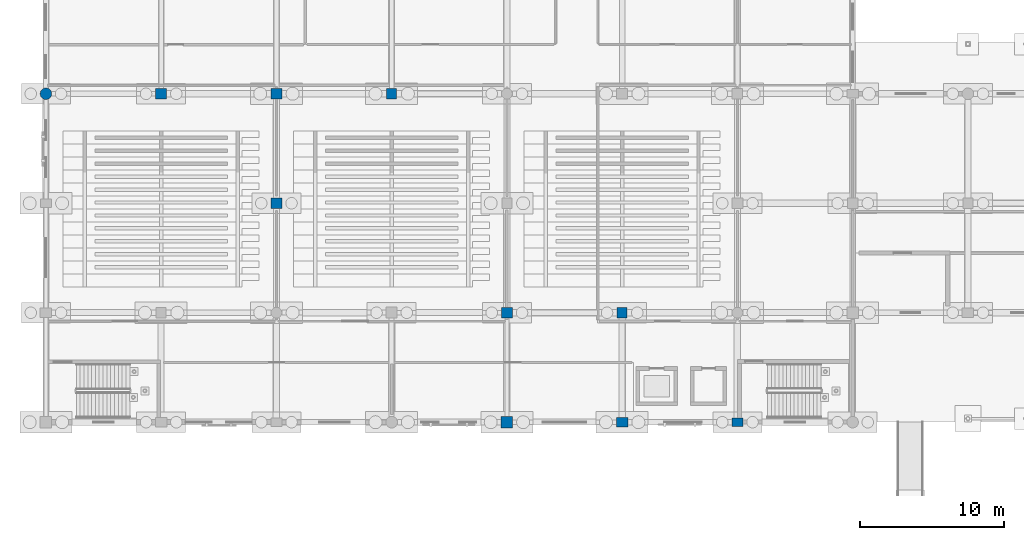
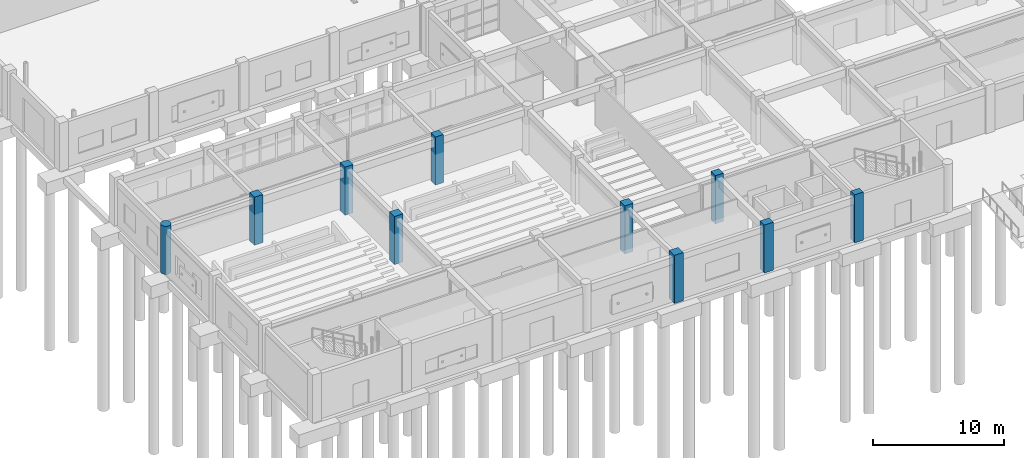
# One storey, part 13 of 166: 10 columns.
"""IFC4 building model written with IfcOpenShell, lengths in metres."""

from ifc_helpers import new_model, si_unit, direction, frame, origin, origin_2d, place, context, subcontext, project, spatial, rectangle, circle, extrude, material, material_profile, profile_set, type_object, element, save


model = new_model("IFC4")

# Units and contexts
model_context = context("Model", 3, precision=1e-05, world=origin(), true_north=direction((0.0, 1.0)))
body_context = subcontext(model_context, "Body", "Model", "MODEL_VIEW")
ifc_project = project(units=[si_unit("LENGTHUNIT", "METRE"), si_unit("AREAUNIT", "SQUARE_METRE"), si_unit("VOLUMEUNIT", "CUBIC_METRE"), si_unit("PLANEANGLEUNIT", "RADIAN"), si_unit("MASSUNIT", "GRAM", prefix="KILO")], contexts=[model_context])

# Site, building, storey
site_placement = place(None, origin())
site = spatial("IfcSite", under=ifc_project, at=site_placement, CompositionType="ELEMENT")
building_placement = place(site_placement, origin())
building = spatial("IfcBuilding", under=site, at=building_placement, Name="Kharva Crest Polytechnic", CompositionType="ELEMENT")
storey_placement = place(building_placement, origin())
storey = spatial("IfcBuildingStorey", under=building, at=storey_placement, Name="L00", CompositionType="ELEMENT", Elevation=0.0)

# Columns
ifc_material = material(Name="Concrete C40/50", Category="concrete")
ifc_material_profile_1 = material_profile(ifc_material, rectangle(XDim=0.780029296875, YDim=0.60009765625, at=origin_2d()), Name="RECT 780 X 600")
ifc_profile_set_1 = profile_set([ifc_material_profile_1], Name="Concrete C40/50")
column_type_1 = type_object("IfcColumnType", Name="COL-EXT-780X600", PredefinedType="COLUMN", material=ifc_profile_set_1)
column_1_placement = place(storey_placement, frame((48.0, 0.0, 0.0), z_axis=(0.0, 0.0, 1.0), x_axis=(1.0, 0.0, 0.0)))
element("IfcColumn", 1, at=column_1_placement, inside=storey, type_object=column_type_1, Name="L00 Column 7/A", PredefinedType="COLUMN", context=body_context, shape_type="SweptSolid", body=[
    extrude(rectangle(XDim=0.780029296875, YDim=0.60009765625, at=origin_2d()), origin(), (0.0, 0.0, 1.0), 4.5),
])
ifc_material_profile_2 = material_profile(ifc_material, rectangle(XDim=0.800048828125, YDim=0.64990234375, at=origin_2d()), Name="RECT 800 X 650")
ifc_profile_set_2 = profile_set([ifc_material_profile_2], Name="Concrete C40/50")
column_type_2 = type_object("IfcColumnType", Name="COL-EXT-800X650", PredefinedType="COLUMN", material=ifc_profile_set_2)
column_2_placement = place(storey_placement, frame((40.0, 0.0, 0.0), z_axis=(0.0, 0.0, 1.0), x_axis=(1.0, 0.0, 0.0)))
element("IfcColumn", 2, at=column_2_placement, inside=storey, type_object=column_type_2, Name="L00 Column 6/A", PredefinedType="COLUMN", context=body_context, shape_type="SweptSolid", body=[
    extrude(rectangle(XDim=0.800048828125, YDim=0.64990234375, at=origin_2d()), origin(), (0.0, 0.0, 1.0), 4.5),
])
ifc_material_profile_3 = material_profile(ifc_material, rectangle(XDim=0.800048828125, YDim=0.800048828125, at=origin_2d()), Name="RECT 800 X 800")
ifc_profile_set_3 = profile_set([ifc_material_profile_3], Name="Concrete C40/50")
column_type_3 = type_object("IfcColumnType", Name="COL-EXT-800X800", PredefinedType="COLUMN", material=ifc_profile_set_3)
column_3_placement = place(storey_placement, frame((32.0, 0.0, 0.0), z_axis=(0.0, 0.0, 1.0), x_axis=(1.0, 0.0, 0.0)))
element("IfcColumn", 3, at=column_3_placement, inside=storey, type_object=column_type_3, Name="L00 Column 5/A", PredefinedType="COLUMN", context=body_context, shape_type="SweptSolid", body=[
    extrude(rectangle(XDim=0.800048828125, YDim=0.800048828125, at=origin_2d()), origin(), (0.0, 0.0, 1.0), 4.5),
])
ifc_material_profile_4 = material_profile(ifc_material, circle(Radius=0.39990234375, at=origin_2d()), Name="DIA 800")
ifc_profile_set_4 = profile_set([ifc_material_profile_4], Name="Concrete C40/50")
column_type_4 = type_object("IfcColumnType", Name="COL-EXT-DIA800", PredefinedType="COLUMN", material=ifc_profile_set_4)
column_4_placement = place(storey_placement, frame((0.0, 22.800048828125, 0.0), z_axis=(0.0, 0.0, 1.0), x_axis=(1.0, 0.0, 0.0)))
element("IfcColumn", 4, at=column_4_placement, inside=storey, type_object=column_type_4, Name="L00 Column 1/D", PredefinedType="COLUMN", context=body_context, shape_type="SweptSolid", body=[
    extrude(circle(Radius=0.39990234375, at=origin_2d()), origin(), (0.0, 0.0, 1.0), 4.5),
])
ifc_material_profile_5 = material_profile(ifc_material, rectangle(XDim=0.699951171875, YDim=0.699951171875, at=origin_2d()), Name="RECT 700 X 700")
ifc_profile_set_5 = profile_set([ifc_material_profile_5], Name="Concrete C40/50")
column_type_5 = type_object("IfcColumnType", Name="COL-INT-700X700", PredefinedType="COLUMN", material=ifc_profile_set_5)
for number, where, z_axis, x_axis, name in (
    (5, (24.0, 22.800048828125, 0.0), (0.0, 0.0, 1.0), (1.0, 0.0, 0.0), "L00 Column 4/D"),
    (6, (40.0, 7.60009765625, 0.0), (0.0, 0.0, 1.0), (1.0, 0.0, 0.0), "L00 Column 6/B"),
):
    element("IfcColumn", number, at=place(storey_placement, frame(where, z_axis=z_axis, x_axis=x_axis)), inside=storey, type_object=column_type_5, Name=name, PredefinedType="COLUMN", context=body_context, shape_type="SweptSolid", body=[
        extrude(rectangle(XDim=0.699951171875, YDim=0.699951171875, at=origin_2d()), origin(), (0.0, 0.0, 1.0), 4.5),
    ])
ifc_material_profile_6 = material_profile(ifc_material, rectangle(XDim=0.739990234375, YDim=0.739990234375, at=origin_2d()), Name="RECT 740 X 740")
ifc_profile_set_6 = profile_set([ifc_material_profile_6], Name="Concrete C40/50")
column_type_6 = type_object("IfcColumnType", Name="COL-INT-740X740", PredefinedType="COLUMN", material=ifc_profile_set_6)
for number, where, z_axis, x_axis, name in (
    (7, (16.0, 22.800048828125, 0.0), (0.0, 0.0, 1.0), (1.0, 0.0, 0.0), "L00 Column 3/D"),
    (8, (32.0, 7.60009765625, 0.0), (0.0, 0.0, 1.0), (1.0, 0.0, 0.0), "L00 Column 5/B"),
):
    element("IfcColumn", number, at=place(storey_placement, frame(where, z_axis=z_axis, x_axis=x_axis)), inside=storey, type_object=column_type_6, Name=name, PredefinedType="COLUMN", context=body_context, shape_type="SweptSolid", body=[
        extrude(rectangle(XDim=0.739990234375, YDim=0.739990234375, at=origin_2d()), origin(), (0.0, 0.0, 1.0), 4.5),
    ])
ifc_material_profile_7 = material_profile(ifc_material, rectangle(XDim=0.760009765625, YDim=0.760009765625, at=origin_2d()), Name="RECT 760 X 760")
ifc_profile_set_7 = profile_set([ifc_material_profile_7], Name="Concrete C40/50")
column_type_7 = type_object("IfcColumnType", Name="COL-INT-760X760", PredefinedType="COLUMN", material=ifc_profile_set_7)
for number, where, z_axis, x_axis, name in (
    (9, (8.0, 22.800048828125, 0.0), (0.0, 0.0, 1.0), (1.0, 0.0, 0.0), "L00 Column 2/D"),
    (10, (16.0, 15.199951171875, 0.0), (0.0, 0.0, 1.0), (1.0, 0.0, 0.0), "L00 Column 3/C"),
):
    element("IfcColumn", number, at=place(storey_placement, frame(where, z_axis=z_axis, x_axis=x_axis)), inside=storey, type_object=column_type_7, Name=name, PredefinedType="COLUMN", context=body_context, shape_type="SweptSolid", body=[
        extrude(rectangle(XDim=0.760009765625, YDim=0.760009765625, at=origin_2d()), origin(), (0.0, 0.0, 1.0), 4.5),
    ])

save(model, "model.ifc")
